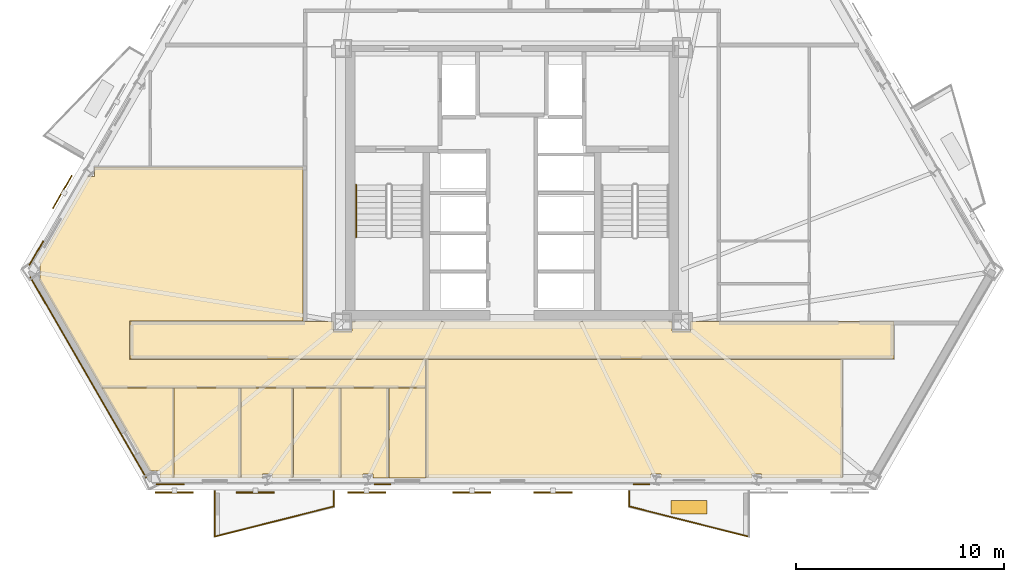
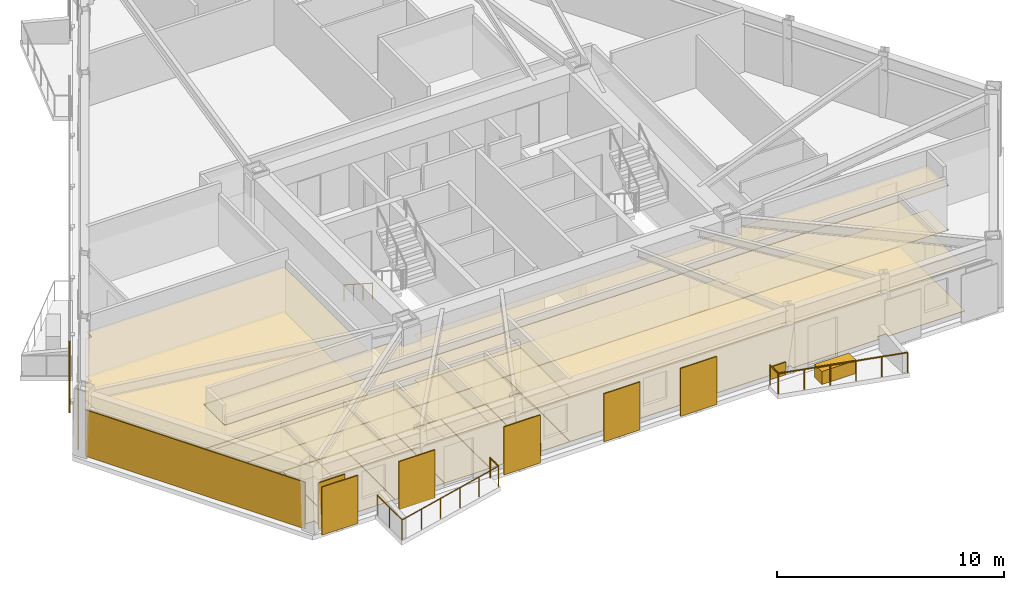
# One storey, part 6 of 9: 24 coverings, 6 railings, 6 shading devices.
"""IFC4 building model written with IfcOpenShell, lengths in metres."""

from ifc_helpers import new_model, si_unit, direction, frame, origin, origin_2d, place, context, subcontext, project, spatial, polyline, rectangle, circle, outline, extrude, material, layer, layer_set, type_object, element, save


model = new_model("IFC4")

# Units and contexts
model_context = context("Model", 3, precision=1e-05, world=origin(), true_north=direction((0.0, 1.0)))
body_context = subcontext(model_context, "Body", "Model", "MODEL_VIEW")
ifc_project = project(units=[si_unit("LENGTHUNIT", "METRE"), si_unit("AREAUNIT", "SQUARE_METRE"), si_unit("VOLUMEUNIT", "CUBIC_METRE"), si_unit("PLANEANGLEUNIT", "RADIAN"), si_unit("MASSUNIT", "GRAM", prefix="KILO")], contexts=[model_context])

# Site, building, storey
site_placement = place(None, origin())
site = spatial("IfcSite", under=ifc_project, at=site_placement, CompositionType="ELEMENT")
building_placement = place(site_placement, origin())
building = spatial("IfcBuilding", under=site, at=building_placement, Name="Oramaril Tower", CompositionType="ELEMENT")
storey_placement = place(building_placement, frame((0.0, 0.0, 104.10009765625)))
storey = spatial("IfcBuildingStorey", under=building, at=storey_placement, Name="L27", CompositionType="ELEMENT", Elevation=104.10009765625)

# Coverings
ifc_material_1 = material(Name="Mineral Fibre Acoustic Ceiling")
ifc_layer_1 = layer(ifc_material_1, 0.02001953125)
ifc_layer_set_1 = layer_set([ifc_layer_1], Name="CVT-CEIL")
covering_type_1 = type_object("IfcCoveringType", Name="CVT-CEIL", PredefinedType="CEILING", material=ifc_layer_set_1)
covering_1_placement = place(storey_placement, frame((0.0, 0.0, 2.39990234375)))
element("IfcCovering", 1, at=covering_1_placement, inside=storey, type_object=covering_type_1, Name="L27 Acoustic Suspended Ceiling 1", PredefinedType="CEILING", context=body_context, shape_type="SweptSolid", body=[
    extrude(outline(polyline([(28.905029296875, 10.554931640625), (29.794921875, 10.554931640625), (29.794921875, 11.030029296875), (45.205078125, 11.030029296875), (45.205078125, 10.554931640625), (46.094970703125, 10.554931640625), (46.094970703125, 11.030029296875), (55.8798828125, 11.030029296875), (55.8798828125, 9.219970703125), (19.1201171875, 9.219970703125), (19.1201171875, 11.030029296875), (28.905029296875, 11.030029296875), (28.905029296875, 10.554931640625)])), origin(), (0.0, 0.0, 1.0), 0.02001953125),
])
covering_2_placement = place(storey_placement, frame((0.0, 0.0, 2.39990234375)))
element("IfcCovering", 2, at=covering_2_placement, inside=storey, type_object=covering_type_1, Name="L27 Acoustic Suspended Ceiling 6", PredefinedType="CEILING", context=body_context, shape_type="SweptSolid", body=[
    extrude(outline(polyline([(49.511962890625, 3.481201171875), (49.511962890625, 3.682373046875), (49.039306640625, 3.682373046875), (49.039306640625, 3.481201171875), (44.65771484375, 3.481201171875), (44.65771484375, 3.682373046875), (44.196044921875, 3.682373046875), (44.196044921875, 3.481201171875), (33.35791015625, 3.481201171875), (33.35791015625, 9.199951171875), (53.4091796875, 9.199951171875), (53.4091796875, 3.481201171875), (49.511962890625, 3.481201171875)])), origin(), (0.0, 0.0, 1.0), 0.02001953125),
])
covering_3_placement = place(storey_placement, frame((0.0, 0.0, 2.39990234375)))
element("IfcCovering", 3, at=covering_3_placement, inside=storey, type_object=covering_type_1, Name="L27 Acoustic Suspended Ceiling 8", PredefinedType="CEILING", context=body_context, shape_type="SweptSolid", body=[
    extrude(outline(polyline([(17.41748046875, 17.98779296875), (17.41748046875, 18.44189453125), (27.449951171875, 18.44189453125), (27.449951171875, 11.050048828125), (19.1201171875, 11.050048828125), (19.117919921875, 11.0498046875), (19.1162109375, 11.049560546875), (19.1142578125, 11.049072265625), (19.1123046875, 11.048583984375), (19.110595703125, 11.047607421875), (19.10888671875, 11.046630859375), (19.107421875, 11.04541015625), (19.10595703125, 11.044189453125), (19.1044921875, 11.042724609375), (19.103515625, 11.041015625), (19.102294921875, 11.039306640625), (19.1015625, 11.03759765625), (19.100830078125, 11.035888671875), (19.100341796875, 11.033935546875), (19.10009765625, 11.031982421875), (19.10009765625, 11.030029296875), (19.10009765625, 9.219970703125), (19.10009765625, 9.218017578125), (19.100341796875, 9.216064453125), (19.100830078125, 9.214111328125), (19.1015625, 9.21240234375), (19.102294921875, 9.210693359375), (19.103515625, 9.208984375), (19.1044921875, 9.207275390625), (19.10595703125, 9.205810546875), (19.107421875, 9.20458984375), (19.10888671875, 9.203369140625), (19.110595703125, 9.202392578125), (19.1123046875, 9.201416015625), (19.1142578125, 9.200927734375), (19.1162109375, 9.200439453125), (19.117919921875, 9.2001953125), (19.1201171875, 9.199951171875), (33.337890625, 9.199951171875), (33.337890625, 7.831298828125), (17.753173828125, 7.831298828125), (14.748046875, 13.036376953125), (14.79052734375, 13.036376953125), (14.79052734375, 13.85302734375), (14.70361328125, 13.85302734375), (17.0908203125, 17.98779296875), (17.41748046875, 17.98779296875)])), origin(), (0.0, 0.0, 1.0), 0.02001953125),
])
covering_4_placement = place(storey_placement, frame((0.0, 0.0, 2.39990234375)))
element("IfcCovering", 4, at=covering_4_placement, inside=storey, type_object=covering_type_1, Name="L27 Acoustic Suspended Ceiling 9", PredefinedType="CEILING", context=body_context, shape_type="SweptSolid", body=[
    extrude(outline(polyline([(20.572265625, 3.481201171875), (20.572265625, 3.829345703125), (20.063720703125, 3.829345703125), (17.7646484375, 7.811279296875), (21.232421875, 7.811279296875), (21.232421875, 3.481201171875), (20.572265625, 3.481201171875)])), origin(), (0.0, 0.0, 1.0), 0.02001953125),
])
covering_5_placement = place(storey_placement, frame((0.0, 0.0, 2.39990234375)))
element("IfcCovering", 5, at=covering_5_placement, inside=storey, type_object=covering_type_1, Name="L27 Acoustic Suspended Ceiling 10", PredefinedType="CEILING", context=body_context, shape_type="SweptSolid", body=[
    extrude(outline(polyline([(21.25244140625, 3.481201171875), (21.25244140625, 7.811279296875), (24.44580078125, 7.811279296875), (24.44580078125, 3.481201171875), (21.25244140625, 3.481201171875)])), origin(), (0.0, 0.0, 1.0), 0.02001953125),
])
covering_6_placement = place(storey_placement, frame((0.0, 0.0, 2.39990234375)))
element("IfcCovering", 6, at=covering_6_placement, inside=storey, type_object=covering_type_1, Name="L27 Acoustic Suspended Ceiling 11", PredefinedType="CEILING", context=body_context, shape_type="SweptSolid", body=[
    extrude(outline(polyline([(25.960693359375, 3.481201171875), (25.960693359375, 3.682373046875), (25.488037109375, 3.682373046875), (25.488037109375, 3.481201171875), (24.4658203125, 3.481201171875), (24.4658203125, 7.811279296875), (26.970703125, 7.811279296875), (26.970703125, 3.481201171875), (25.960693359375, 3.481201171875)])), origin(), (0.0, 0.0, 1.0), 0.02001953125),
])
covering_7_placement = place(storey_placement, frame((0.0, 0.0, 2.39990234375)))
element("IfcCovering", 7, at=covering_7_placement, inside=storey, type_object=covering_type_1, Name="L27 Acoustic Suspended Ceiling 12", PredefinedType="CEILING", context=body_context, shape_type="SweptSolid", body=[
    extrude(outline(polyline([(26.990478515625, 3.481201171875), (26.990478515625, 7.811279296875), (29.265869140625, 7.811279296875), (29.265869140625, 3.481201171875), (26.990478515625, 3.481201171875)])), origin(), (0.0, 0.0, 1.0), 0.02001953125),
])
covering_8_placement = place(storey_placement, frame((0.0, 0.0, 2.39990234375)))
element("IfcCovering", 8, at=covering_8_placement, inside=storey, type_object=covering_type_1, Name="L27 Acoustic Suspended Ceiling 13", PredefinedType="CEILING", context=body_context, shape_type="SweptSolid", body=[
    extrude(outline(polyline([(30.803955078125, 3.481201171875), (30.803955078125, 3.682373046875), (30.34228515625, 3.682373046875), (30.34228515625, 3.481201171875), (29.285888671875, 3.481201171875), (29.285888671875, 7.811279296875), (31.552001953125, 7.811279296875), (31.552001953125, 3.481201171875), (30.803955078125, 3.481201171875)])), origin(), (0.0, 0.0, 1.0), 0.02001953125),
])
covering_9_placement = place(storey_placement, frame((0.0, 0.0, 2.39990234375)))
element("IfcCovering", 9, at=covering_9_placement, inside=storey, type_object=covering_type_1, Name="L27 Acoustic Suspended Ceiling 14", PredefinedType="CEILING", context=body_context, shape_type="SweptSolid", body=[
    extrude(outline(polyline([(31.572021484375, 3.481201171875), (31.572021484375, 7.811279296875), (33.337890625, 7.811279296875), (33.337890625, 3.481201171875), (31.572021484375, 3.481201171875)])), origin(), (0.0, 0.0, 1.0), 0.02001953125),
])
ifc_material_2 = material(Name="Warm Cream Limestone", Category="masonry")
ifc_layer_2 = layer(ifc_material_2, 0.050048828125)
ifc_layer_set_2 = layer_set([ifc_layer_2], Name="CVT-CLD")
covering_type_2 = type_object("IfcCoveringType", Name="CVT-CLD", PredefinedType="CLADDING", material=ifc_layer_set_2)
covering_10_placement = place(storey_placement, frame((17.11669921875, 8.331787109375, 0.039794921875), z_axis=(0.0, 0.0, 1.0), x_axis=(0.5, -0.866025403784, 0.0)))
element("IfcCovering", 10, at=covering_10_placement, inside=storey, type_object=covering_type_2, Name="L27 Warm Cream Limestone Cladding", PredefinedType="CLADDING", context=body_context, shape_type="SweptSolid", body=[
    extrude(rectangle(XDim=11.173828125, YDim=0.050048828125, at=origin_2d()), origin(), (0.0, 0.0, 1.0), 2.498046875),
])
covering_11_placement = place(storey_placement, frame((21.05224609375, 3.180419921875, 0.039794921875), z_axis=(0.0, 0.0, 1.0), x_axis=(1.0, 0.0, 0.0)))
element("IfcCovering", 11, at=covering_11_placement, inside=storey, type_object=covering_type_2, Name="L27 Warm Cream Limestone Cladding", PredefinedType="CLADDING", context=body_context, shape_type="SweptSolid", body=[
    extrude(rectangle(XDim=1.35009765625, YDim=0.050048828125, at=origin_2d()), origin(), (0.0, 0.0, 1.0), 2.498046875),
])
for number, where, z_axis, x_axis, name in (
    (12, (31.272705078125, 3.180419921875, 0.0400390625), (0.0, 0.0, 1.0), (1.0, 0.0, 0.0), "L27 Warm Cream Limestone Spandrel Cladding"),
    (13, (43.727294921875, 3.180419921875, 0.0400390625), (0.0, 0.0, 1.0), (1.0, 0.0, 0.0), "L27 Warm Cream Limestone Spandrel Cladding"),
):
    element("IfcCovering", number, at=place(storey_placement, frame(where, z_axis=z_axis, x_axis=x_axis)), inside=storey, type_object=covering_type_2, Name=name, PredefinedType="CLADDING", context=body_context, shape_type="SweptSolid", body=[
        extrude(rectangle(XDim=0.800048828125, YDim=0.050048828125, at=origin_2d()), origin(), (0.0, 0.0, 1.0), 0.679931640625),
    ])
covering_12_placement = place(storey_placement, frame((14.623291015625, 14.315673828125, 0.039794921875), z_axis=(0.0, 0.0, 1.0), x_axis=(-0.5, -0.866025403784, 0.0)))
element("IfcCovering", 14, at=covering_12_placement, inside=storey, type_object=covering_type_2, Name="L27 Warm Cream Limestone Cladding", PredefinedType="CLADDING", context=body_context, shape_type="SweptSolid", body=[
    extrude(rectangle(XDim=1.35009765625, YDim=0.050048828125, at=origin_2d()), origin(), (0.0, 0.0, 1.0), 2.498046875),
])
covering_13_placement = place(storey_placement, frame((46.01318359375, 2.076904296875, 0.0), z_axis=(0.0, 0.0, 1.0), x_axis=(1.0, 0.0, 0.0)))
element("IfcCovering", 15, at=covering_13_placement, inside=storey, type_object=covering_type_2, Name="L27 Structural Tree Planter Box L27-BAL-S2", PredefinedType="CLADDING", context=body_context, shape_type="SweptSolid", body=[
    extrude(rectangle(XDim=1.75, YDim=0.64990234375, at=origin_2d()), origin(), (0.0, 0.0, 1.0), 0.699951171875),
])
ifc_material_3 = material(Name="Honed Quartzite Stone Flooring", Category="masonry")
ifc_layer_3 = layer(ifc_material_3, 0.02490234375)
ifc_layer_set_3 = layer_set([ifc_layer_3], Name="CVT-FLR")
covering_type_3 = type_object("IfcCoveringType", Name="CVT-FLR", PredefinedType="FLOORING", material=ifc_layer_set_3)
covering_14_placement = place(storey_placement, origin())
element("IfcCovering", 16, at=covering_14_placement, inside=storey, type_object=covering_type_3, Name="L27 Honed Stone Floor Finish 1", PredefinedType="FLOORING", context=body_context, shape_type="SweptSolid", body=[
    extrude(outline(polyline([(28.905029296875, 10.554931640625), (29.794921875, 10.554931640625), (29.794921875, 11.030029296875), (45.205078125, 11.030029296875), (45.205078125, 10.554931640625), (46.094970703125, 10.554931640625), (46.094970703125, 11.030029296875), (55.8798828125, 11.030029296875), (55.8798828125, 9.219970703125), (19.1201171875, 9.219970703125), (19.1201171875, 11.030029296875), (28.905029296875, 11.030029296875), (28.905029296875, 10.554931640625)])), origin(), (0.0, 0.0, 1.0), 0.02490234375),
])
covering_15_placement = place(storey_placement, origin())
element("IfcCovering", 17, at=covering_15_placement, inside=storey, type_object=covering_type_3, Name="L27 Honed Stone Floor Finish 6", PredefinedType="FLOORING", context=body_context, shape_type="SweptSolid", body=[
    extrude(outline(polyline([(49.511962890625, 3.481201171875), (49.511962890625, 3.682373046875), (49.039306640625, 3.682373046875), (49.039306640625, 3.481201171875), (44.65771484375, 3.481201171875), (44.65771484375, 3.682373046875), (44.196044921875, 3.682373046875), (44.196044921875, 3.481201171875), (33.35791015625, 3.481201171875), (33.35791015625, 9.199951171875), (53.4091796875, 9.199951171875), (53.4091796875, 3.481201171875), (49.511962890625, 3.481201171875)])), origin(), (0.0, 0.0, 1.0), 0.02490234375),
])
covering_16_placement = place(storey_placement, origin())
element("IfcCovering", 18, at=covering_16_placement, inside=storey, type_object=covering_type_3, Name="L27 Honed Stone Floor Finish 8", PredefinedType="FLOORING", context=body_context, shape_type="SweptSolid", body=[
    extrude(outline(polyline([(17.41748046875, 17.98779296875), (17.41748046875, 18.44189453125), (27.449951171875, 18.44189453125), (27.449951171875, 11.050048828125), (19.1201171875, 11.050048828125), (19.117919921875, 11.0498046875), (19.1162109375, 11.049560546875), (19.1142578125, 11.049072265625), (19.1123046875, 11.048583984375), (19.110595703125, 11.047607421875), (19.10888671875, 11.046630859375), (19.107421875, 11.04541015625), (19.10595703125, 11.044189453125), (19.1044921875, 11.042724609375), (19.103515625, 11.041015625), (19.102294921875, 11.039306640625), (19.1015625, 11.03759765625), (19.100830078125, 11.035888671875), (19.100341796875, 11.033935546875), (19.10009765625, 11.031982421875), (19.10009765625, 11.030029296875), (19.10009765625, 9.219970703125), (19.10009765625, 9.218017578125), (19.100341796875, 9.216064453125), (19.100830078125, 9.214111328125), (19.1015625, 9.21240234375), (19.102294921875, 9.210693359375), (19.103515625, 9.208984375), (19.1044921875, 9.207275390625), (19.10595703125, 9.205810546875), (19.107421875, 9.20458984375), (19.10888671875, 9.203369140625), (19.110595703125, 9.202392578125), (19.1123046875, 9.201416015625), (19.1142578125, 9.200927734375), (19.1162109375, 9.200439453125), (19.117919921875, 9.2001953125), (19.1201171875, 9.199951171875), (33.337890625, 9.199951171875), (33.337890625, 7.831298828125), (17.753173828125, 7.831298828125), (14.748046875, 13.036376953125), (14.79052734375, 13.036376953125), (14.79052734375, 13.85302734375), (14.70361328125, 13.85302734375), (17.0908203125, 17.98779296875), (17.41748046875, 17.98779296875)])), origin(), (0.0, 0.0, 1.0), 0.02490234375),
])
covering_17_placement = place(storey_placement, origin())
element("IfcCovering", 19, at=covering_17_placement, inside=storey, type_object=covering_type_3, Name="L27 Honed Stone Floor Finish 9", PredefinedType="FLOORING", context=body_context, shape_type="SweptSolid", body=[
    extrude(outline(polyline([(20.572265625, 3.481201171875), (20.572265625, 3.829345703125), (20.063720703125, 3.829345703125), (17.7646484375, 7.811279296875), (21.232421875, 7.811279296875), (21.232421875, 3.481201171875), (20.572265625, 3.481201171875)])), origin(), (0.0, 0.0, 1.0), 0.02490234375),
])
covering_18_placement = place(storey_placement, origin())
element("IfcCovering", 20, at=covering_18_placement, inside=storey, type_object=covering_type_3, Name="L27 Honed Stone Floor Finish 10", PredefinedType="FLOORING", context=body_context, shape_type="SweptSolid", body=[
    extrude(outline(polyline([(21.25244140625, 3.481201171875), (21.25244140625, 7.811279296875), (24.44580078125, 7.811279296875), (24.44580078125, 3.481201171875), (21.25244140625, 3.481201171875)])), origin(), (0.0, 0.0, 1.0), 0.02490234375),
])
covering_19_placement = place(storey_placement, origin())
element("IfcCovering", 21, at=covering_19_placement, inside=storey, type_object=covering_type_3, Name="L27 Honed Stone Floor Finish 11", PredefinedType="FLOORING", context=body_context, shape_type="SweptSolid", body=[
    extrude(outline(polyline([(25.960693359375, 3.481201171875), (25.960693359375, 3.682373046875), (25.488037109375, 3.682373046875), (25.488037109375, 3.481201171875), (24.4658203125, 3.481201171875), (24.4658203125, 7.811279296875), (26.970703125, 7.811279296875), (26.970703125, 3.481201171875), (25.960693359375, 3.481201171875)])), origin(), (0.0, 0.0, 1.0), 0.02490234375),
])
covering_20_placement = place(storey_placement, origin())
element("IfcCovering", 22, at=covering_20_placement, inside=storey, type_object=covering_type_3, Name="L27 Honed Stone Floor Finish 12", PredefinedType="FLOORING", context=body_context, shape_type="SweptSolid", body=[
    extrude(outline(polyline([(26.990478515625, 3.481201171875), (26.990478515625, 7.811279296875), (29.265869140625, 7.811279296875), (29.265869140625, 3.481201171875), (26.990478515625, 3.481201171875)])), origin(), (0.0, 0.0, 1.0), 0.02490234375),
])
covering_21_placement = place(storey_placement, origin())
element("IfcCovering", 23, at=covering_21_placement, inside=storey, type_object=covering_type_3, Name="L27 Honed Stone Floor Finish 13", PredefinedType="FLOORING", context=body_context, shape_type="SweptSolid", body=[
    extrude(outline(polyline([(30.803955078125, 3.481201171875), (30.803955078125, 3.682373046875), (30.34228515625, 3.682373046875), (30.34228515625, 3.481201171875), (29.285888671875, 3.481201171875), (29.285888671875, 7.811279296875), (31.552001953125, 7.811279296875), (31.552001953125, 3.481201171875), (30.803955078125, 3.481201171875)])), origin(), (0.0, 0.0, 1.0), 0.02490234375),
])
covering_22_placement = place(storey_placement, origin())
element("IfcCovering", 24, at=covering_22_placement, inside=storey, type_object=covering_type_3, Name="L27 Honed Stone Floor Finish 14", PredefinedType="FLOORING", context=body_context, shape_type="SweptSolid", body=[
    extrude(outline(polyline([(31.572021484375, 3.481201171875), (31.572021484375, 7.811279296875), (33.337890625, 7.811279296875), (33.337890625, 3.481201171875), (31.572021484375, 3.481201171875)])), origin(), (0.0, 0.0, 1.0), 0.02490234375),
])

# Railings
ifc_material_4 = material(Name="Stainless Steel 316L", Category="steel")
railing_type_1 = type_object("IfcRailingType", Name="RLT-GRD", PredefinedType="GUARDRAIL", material=ifc_material_4)
railing_1_placement = place(storey_placement, frame((28.9267578125, 2.865234375, 0.0)))
element("IfcRailing", 25, at=railing_1_placement, inside=storey, type_object=railing_type_1, Name="L27 Balcony Guardrail L27-BAL-S1.1", PredefinedType="GUARDRAIL", context=body_context, shape_type="SweptSolid", body=[
    extrude(circle(Radius=0.02392578125, at=origin_2d()), frame((0.0, 0.0, 1.076171875), z_axis=(0.0, -1.0, 0.0), x_axis=(1.0, 0.0, 0.0)), (0.0, 0.0, 1.0), 0.741943359375),
    extrude(circle(Radius=0.02099609375, at=origin_2d()), origin(), (0.0, 0.0, 1.0), 1.052001953125),
    extrude(circle(Radius=0.02099609375, at=origin_2d()), frame((0.0, -0.741943359375, 0.0)), (0.0, 0.0, 1.0), 1.052001953125),
])
railing_2_placement = place(storey_placement, frame((28.9267578125, 2.123291015625, 0.0)))
element("IfcRailing", 26, at=railing_2_placement, inside=storey, type_object=railing_type_1, Name="L27 Balcony Guardrail L27-BAL-S1.2", PredefinedType="GUARDRAIL", context=body_context, shape_type="SweptSolid", body=[
    extrude(circle(Radius=0.02392578125, at=origin_2d()), frame((0.0, 0.0, 1.076171875), z_axis=(-0.969443611257, -0.245314256807, 0.0), x_axis=(0.245314256807, -0.969443611257, 0.0)), (0.0, 0.0, 1.0), 5.91064453125),
    extrude(circle(Radius=0.02099609375, at=origin_2d()), origin(), (0.0, 0.0, 1.0), 1.052001953125),
    extrude(circle(Radius=0.02099609375, at=origin_2d()), frame((-1.14599609375, -0.2900390625, 0.0)), (0.0, 0.0, 1.0), 1.052001953125),
    extrude(circle(Radius=0.02099609375, at=origin_2d()), frame((-2.2919921875, -0.580078125, 0.0)), (0.0, 0.0, 1.0), 1.052001953125),
    extrude(circle(Radius=0.02099609375, at=origin_2d()), frame((-3.43798828125, -0.869873046875, 0.0)), (0.0, 0.0, 1.0), 1.052001953125),
    extrude(circle(Radius=0.02099609375, at=origin_2d()), frame((-4.583984375, -1.159912109375, 0.0)), (0.0, 0.0, 1.0), 1.052001953125),
    extrude(circle(Radius=0.02099609375, at=origin_2d()), frame((-5.72998046875, -1.449951171875, 0.0)), (0.0, 0.0, 1.0), 1.052001953125),
])
railing_3_placement = place(storey_placement, frame((23.19677734375, 0.67333984375, 0.0)))
element("IfcRailing", 27, at=railing_3_placement, inside=storey, type_object=railing_type_1, Name="L27 Balcony Guardrail L27-BAL-S1.3", PredefinedType="GUARDRAIL", context=body_context, shape_type="SweptSolid", body=[
    extrude(circle(Radius=0.02392578125, at=origin_2d()), frame((0.0, 0.0, 1.076171875), z_axis=(0.0, 1.0, 0.0), x_axis=(-1.0, 0.0, 0.0)), (0.0, 0.0, 1.0), 2.19189453125),
    extrude(circle(Radius=0.02099609375, at=origin_2d()), origin(), (0.0, 0.0, 1.0), 1.052001953125),
    extrude(circle(Radius=0.02099609375, at=origin_2d()), frame((0.0, 1.095947265625, 0.0)), (0.0, 0.0, 1.0), 1.052001953125),
    extrude(circle(Radius=0.02099609375, at=origin_2d()), frame((0.0, 2.19189453125, 0.0)), (0.0, 0.0, 1.0), 1.052001953125),
])
railing_4_placement = place(storey_placement, frame((48.87841796875, 0.67333984375, 0.0)))
element("IfcRailing", 28, at=railing_4_placement, inside=storey, type_object=railing_type_1, Name="L27 Balcony Guardrail L27-BAL-S2.2", PredefinedType="GUARDRAIL", context=body_context, shape_type="SweptSolid", body=[
    extrude(circle(Radius=0.02392578125, at=origin_2d()), frame((0.0, 0.0, 1.076171875), z_axis=(-0.969446096844, 0.245304433946, 0.0), x_axis=(-0.245304433946, -0.969446096844, 0.0)), (0.0, 0.0, 1.0), 5.910888671875),
    extrude(circle(Radius=0.02099609375, at=origin_2d()), origin(), (0.0, 0.0, 1.0), 1.052001953125),
    extrude(circle(Radius=0.02099609375, at=origin_2d()), frame((-1.14599609375, 0.2900390625, 0.0)), (0.0, 0.0, 1.0), 1.052001953125),
    extrude(circle(Radius=0.02099609375, at=origin_2d()), frame((-2.2919921875, 0.580078125, 0.0)), (0.0, 0.0, 1.0), 1.052001953125),
    extrude(circle(Radius=0.02099609375, at=origin_2d()), frame((-3.438232421875, 0.869873046875, 0.0)), (0.0, 0.0, 1.0), 1.052001953125),
    extrude(circle(Radius=0.02099609375, at=origin_2d()), frame((-4.584228515625, 1.159912109375, 0.0)), (0.0, 0.0, 1.0), 1.052001953125),
    extrude(circle(Radius=0.02099609375, at=origin_2d()), frame((-5.730224609375, 1.449951171875, 0.0)), (0.0, 0.0, 1.0), 1.052001953125),
])
railing_5_placement = place(storey_placement, frame((43.148193359375, 2.123291015625, 0.0)))
element("IfcRailing", 29, at=railing_5_placement, inside=storey, type_object=railing_type_1, Name="L27 Balcony Guardrail L27-BAL-S2.3", PredefinedType="GUARDRAIL", context=body_context, shape_type="SweptSolid", body=[
    extrude(circle(Radius=0.02392578125, at=origin_2d()), frame((0.0, 0.0, 1.076171875), z_axis=(0.0, 1.0, 0.0), x_axis=(-1.0, 0.0, 0.0)), (0.0, 0.0, 1.0), 0.741943359375),
    extrude(circle(Radius=0.02099609375, at=origin_2d()), origin(), (0.0, 0.0, 1.0), 1.052001953125),
    extrude(circle(Radius=0.02099609375, at=origin_2d()), frame((0.0, 0.741943359375, 0.0)), (0.0, 0.0, 1.0), 1.052001953125),
])
ifc_material_5 = material(Name="Stainless Steel 316L", Category="steel")
railing_type_2 = type_object("IfcRailingType", Name="RLT-HND", PredefinedType="HANDRAIL", material=ifc_material_5)
railing_6_placement = place(storey_placement, frame((30.0, 17.590087890625, 0.179931640625)))
element("IfcRailing", 30, at=railing_6_placement, inside=storey, type_object=railing_type_2, Name="L27 ST-1 stair handrail 1", PredefinedType="HANDRAIL", context=body_context, shape_type="SweptSolid", body=[
    extrude(circle(Radius=0.02392578125, at=origin_2d()), frame((0.0, 0.0, 0.8759765625), z_axis=(0.0, -0.841199657755, 0.540724639528), x_axis=(1.0, 0.0, 0.0)), (0.0, 0.0, 1.0), 2.995849609375),
    extrude(circle(Radius=0.02099609375, at=origin_2d()), origin(), (0.0, 0.0, 1.0), 0.851806640625),
    extrude(circle(Radius=0.02099609375, at=origin_2d()), frame((0.0, -0.840087890625, 0.5400390625)), (0.0, 0.0, 1.0), 0.851806640625),
    extrude(circle(Radius=0.02099609375, at=origin_2d()), frame((0.0, -1.679931640625, 1.079833984375)), (0.0, 0.0, 1.0), 0.851806640625),
    extrude(circle(Radius=0.02099609375, at=origin_2d()), frame((0.0, -2.52001953125, 1.619873046875)), (0.0, 0.0, 1.0), 0.851806640625),
])

# Shading devices
for number, where, z_axis, x_axis, name in (
    (31, (35.57275390625, 2.793212890625, -0.02001953125), (0.0, 0.0, 1.0), (1.0, 0.0, 0.0), "L27 Perforated Ceramic Solar Screen"),
    (32, (39.472900390625, 2.793212890625, -0.02001953125), (0.0, 0.0, 1.0), (1.0, 0.0, 0.0), "L27 Perforated Ceramic Solar Screen"),
    (33, (21.254150390625, 2.793212890625, -0.02001953125), (0.0, 0.0, 1.0), (1.0, 0.0, 0.0), "L27 Perforated Ceramic Solar Screen"),
    (34, (25.154052734375, 2.793212890625, -0.02001953125), (0.0, 0.0, 1.0), (1.0, 0.0, 0.0), "L27 Perforated Ceramic Solar Screen"),
    (35, (30.5048828125, 2.793212890625, -0.02001953125), (0.0, 0.0, 1.0), (1.0, 0.0, 0.0), "L27 Perforated Ceramic Solar Screen"),
    (36, (15.871826171875, 17.252197265625, -0.02001953125), (0.0, 0.0, 1.0), (-0.5, -0.866025403784, 0.0), "L27 Perforated Ceramic Solar Screen"),
):
    element("IfcShadingDevice", number, at=place(storey_placement, frame(where, z_axis=z_axis, x_axis=x_axis)), inside=storey, Name=name, ObjectType="SCREEN", PredefinedType="USERDEFINED", context=body_context, shape_type="SweptSolid", body=[
        extrude(rectangle(XDim=1.8330078125, YDim=0.050048828125, at=origin_2d()), origin(), (0.0, 0.0, 1.0), 2.577880859375),
    ])

save(model, "model.ifc")
